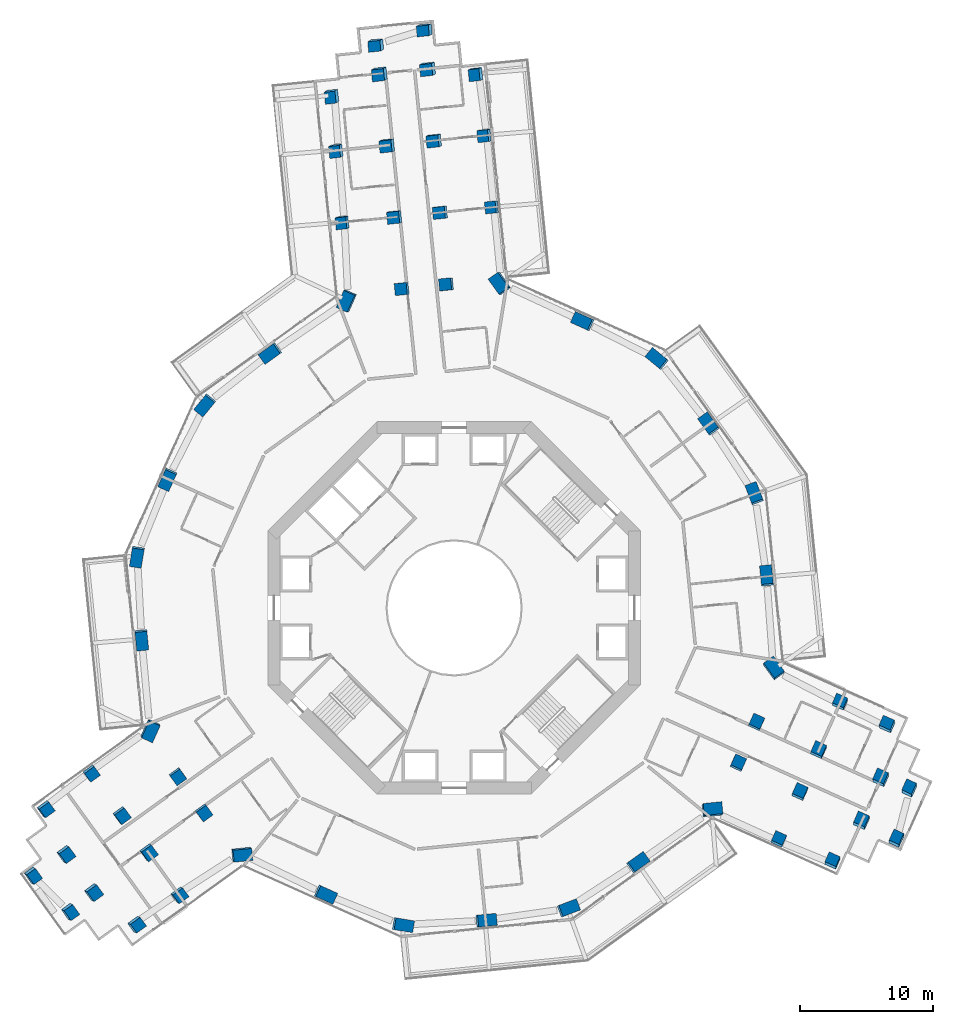
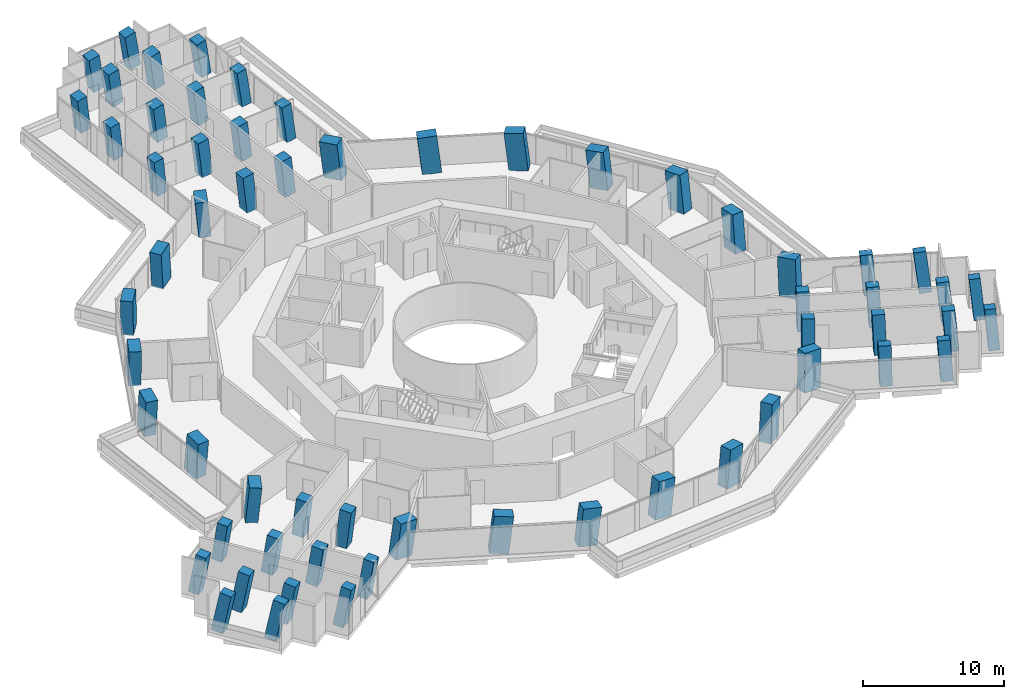
# One storey, part 1 of 26: 61 columns.
"""IFC4 building model written with IfcOpenShell, lengths in metres."""

from ifc_helpers import new_model, si_unit, direction, frame, origin, origin_2d, place, context, subcontext, project, spatial, rectangle, extrude, material, material_profile, profile_set, type_object, element, save


model = new_model("IFC4")

# Units and contexts
model_context = context("Model", 3, precision=1e-05, world=origin(), true_north=direction((0.0, 1.0)))
body_context = subcontext(model_context, "Body", "Model", "MODEL_VIEW")
ifc_project = project(units=[si_unit("LENGTHUNIT", "METRE"), si_unit("AREAUNIT", "SQUARE_METRE"), si_unit("VOLUMEUNIT", "CUBIC_METRE"), si_unit("PLANEANGLEUNIT", "RADIAN"), si_unit("MASSUNIT", "GRAM", prefix="KILO")], contexts=[model_context])

# Site, building, storey
site_placement = place(None, origin())
site = spatial("IfcSite", under=ifc_project, at=site_placement, CompositionType="ELEMENT")
building_placement = place(site_placement, origin())
building = spatial("IfcBuilding", under=site, at=building_placement, Name="Verdalira Terraces Hotel", CompositionType="ELEMENT")
storey_placement = place(building_placement, frame((0.0, 0.0, 56.5)))
storey = spatial("IfcBuildingStorey", under=building, at=storey_placement, Name="L12", CompositionType="ELEMENT", Elevation=56.5)

# Columns
ifc_material_1 = material(Name="Concrete C80", Category="concrete")
ifc_material_profile_1 = material_profile(ifc_material_1, rectangle(XDim=1.399902, YDim=0.899902, at=origin_2d()), Name="RC 1400X900")
ifc_profile_set_1 = profile_set([ifc_material_profile_1], Name="Concrete C80")
column_type_1 = type_object("IfcColumnType", Name="Column RC 1400X900 C80", PredefinedType="COLUMN", material=ifc_profile_set_1)
column_1_placement = place(storey_placement, frame((-8.03833, 23.094727, 0.0), z_axis=(-0.109537555, -0.039147704, 0.993211448), x_axis=(0.403114018, 0.911612109, 0.080389372)))
element("IfcColumn", 1, at=column_1_placement, inside=storey, type_object=column_type_1, Name="Column C07", PredefinedType="COLUMN", context=body_context, shape_type="SweptSolid", body=[
    extrude(rectangle(XDim=1.399902, YDim=0.899902, at=origin_2d()), origin(), (0.0, 0.0, 1.0), 3.21167),
])
column_2_placement = place(storey_placement, frame((-13.796387, 19.157471, 0.0), z_axis=(-0.090651408, -0.066391509, 0.993667193), x_axis=(-0.806614945, -0.580299679, -0.112359302)))
element("IfcColumn", 2, at=column_2_placement, inside=storey, type_object=column_type_1, Name="Column C08", PredefinedType="COLUMN", context=body_context, shape_type="SweptSolid", body=[
    extrude(rectangle(XDim=1.399902, YDim=0.899902, at=origin_2d()), origin(), (0.0, 0.0, 1.0), 3.210205),
])
column_3_placement = place(storey_placement, frame((-18.705078, 15.277344, 0.0), z_axis=(-0.071922434, -0.089560916, 0.993381098), x_axis=(0.62855588, 0.769236277, 0.114861028)))
element("IfcColumn", 3, at=column_3_placement, inside=storey, type_object=column_type_1, Name="Column C09", PredefinedType="COLUMN", context=body_context, shape_type="SweptSolid", body=[
    extrude(rectangle(XDim=1.399902, YDim=0.899902, at=origin_2d()), origin(), (0.0, 0.0, 1.0), 3.211182),
])
column_4_placement = place(storey_placement, frame((-21.526855, 9.692627, 0.0), z_axis=(-0.045250147, -0.102744451, 0.993678017), x_axis=(-0.408210433, -0.905958686, -0.112263538)))
element("IfcColumn", 4, at=column_4_placement, inside=storey, type_object=column_type_1, Name="Column C10", PredefinedType="COLUMN", context=body_context, shape_type="SweptSolid", body=[
    extrude(rectangle(XDim=1.399902, YDim=0.899902, at=origin_2d()), origin(), (0.0, 0.0, 1.0), 3.210205),
])
column_5_placement = place(storey_placement, frame((-23.837891, 3.87793, 0.0), z_axis=(-0.01748646, -0.113509932, 0.993382967), x_axis=(0.159578304, 0.98048224, 0.114844864)))
element("IfcColumn", 5, at=column_5_placement, inside=storey, type_object=column_type_1, Name="Column C11", PredefinedType="COLUMN", context=body_context, shape_type="SweptSolid", body=[
    extrude(rectangle(XDim=1.399902, YDim=0.899902, at=origin_2d()), origin(), (0.0, 0.0, 1.0), 3.211182),
])
column_6_placement = place(storey_placement, frame((-23.489014, -2.369385, 0.0), z_axis=(0.012168058, -0.111641928, 0.993674), x_axis=(0.09927897, -0.988702484, -0.112299088)))
element("IfcColumn", 6, at=column_6_placement, inside=storey, type_object=column_type_1, Name="Column C12", PredefinedType="COLUMN", context=body_context, shape_type="SweptSolid", body=[
    extrude(rectangle(XDim=1.399902, YDim=0.899902, at=origin_2d()), origin(), (0.0, 0.0, 1.0), 3.210205),
])
column_7_placement = place(storey_placement, frame((-22.851807, -9.186279, 0.0), z_axis=(0.044616831, -0.10823572, 0.993123541), x_axis=(0.415131598, 0.906226966, 0.080115181)))
element("IfcColumn", 7, at=column_7_placement, inside=storey, type_object=column_type_1, Name="Column C13", PredefinedType="COLUMN", context=body_context, shape_type="SweptSolid", body=[
    extrude(rectangle(XDim=1.399902, YDim=0.899902, at=origin_2d()), origin(), (0.0, 0.0, 1.0), 3.211914),
])
column_8_placement = place(storey_placement, frame((-15.981445, -18.508789, 0.0), z_axis=(0.088633967, -0.075255255, 0.993217331), x_axis=(-0.991038531, -0.106704076, 0.080354653)))
element("IfcColumn", 8, at=column_8_placement, inside=storey, type_object=column_type_1, Name="Column C20", PredefinedType="COLUMN", context=body_context, shape_type="SweptSolid", body=[
    extrude(rectangle(XDim=1.399902, YDim=0.899902, at=origin_2d()), origin(), (0.0, 0.0, 1.0), 3.21167),
])
column_9_placement = place(storey_placement, frame((-9.692627, -21.526855, 0.0), z_axis=(0.102744451, -0.045250147, 0.993678017), x_axis=(0.905958686, -0.408210433, -0.112263538)))
element("IfcColumn", 9, at=column_9_placement, inside=storey, type_object=column_type_1, Name="Column C21", PredefinedType="COLUMN", context=body_context, shape_type="SweptSolid", body=[
    extrude(rectangle(XDim=1.399902, YDim=0.899902, at=origin_2d()), origin(), (0.0, 0.0, 1.0), 3.210205),
])
column_10_placement = place(storey_placement, frame((-3.87793, -23.837891, 0.0), z_axis=(0.113509932, -0.01748646, 0.993382967), x_axis=(-0.98048224, 0.159578304, 0.114844864)))
element("IfcColumn", 10, at=column_10_placement, inside=storey, type_object=column_type_1, Name="Column C22", PredefinedType="COLUMN", context=body_context, shape_type="SweptSolid", body=[
    extrude(rectangle(XDim=1.399902, YDim=0.899902, at=origin_2d()), origin(), (0.0, 0.0, 1.0), 3.211182),
])
column_11_placement = place(storey_placement, frame((2.369385, -23.489014, 0.0), z_axis=(0.111641928, 0.012168058, 0.993674), x_axis=(0.988702484, 0.09927897, -0.112299088)))
element("IfcColumn", 11, at=column_11_placement, inside=storey, type_object=column_type_1, Name="Column C23", PredefinedType="COLUMN", context=body_context, shape_type="SweptSolid", body=[
    extrude(rectangle(XDim=1.399902, YDim=0.899902, at=origin_2d()), origin(), (0.0, 0.0, 1.0), 3.210205),
])
column_12_placement = place(storey_placement, frame((8.560547, -22.583252, 0.0), z_axis=(0.10704763, 0.041587396, 0.993383759), x_axis=(-0.928982675, -0.351857103, 0.11483801)))
element("IfcColumn", 12, at=column_12_placement, inside=storey, type_object=column_type_1, Name="Column C24", PredefinedType="COLUMN", context=body_context, shape_type="SweptSolid", body=[
    extrude(rectangle(XDim=1.399902, YDim=0.899902, at=origin_2d()), origin(), (0.0, 0.0, 1.0), 3.211182),
])
column_13_placement = place(storey_placement, frame((13.796387, -19.157471, 0.0), z_axis=(0.090651408, 0.066391509, 0.993667193), x_axis=(0.806614945, 0.580299679, -0.112359302)))
element("IfcColumn", 13, at=column_13_placement, inside=storey, type_object=column_type_1, Name="Column C25", PredefinedType="COLUMN", context=body_context, shape_type="SweptSolid", body=[
    extrude(rectangle(XDim=1.399902, YDim=0.899902, at=origin_2d()), origin(), (0.0, 0.0, 1.0), 3.210205),
])
column_14_placement = place(storey_placement, frame((19.381348, -15.197021, 0.0), z_axis=(0.071523428, 0.09272963, 0.993119134), x_axis=(-0.992454044, -0.092803173, 0.080140757)))
element("IfcColumn", 14, at=column_14_placement, inside=storey, type_object=column_type_1, Name="Column C26", PredefinedType="COLUMN", context=body_context, shape_type="SweptSolid", body=[
    extrude(rectangle(XDim=1.399902, YDim=0.899902, at=origin_2d()), origin(), (0.0, 0.0, 1.0), 3.212158),
])
column_15_placement = place(storey_placement, frame((24.02002, -4.585938, 0.0), z_axis=(0.020828195, 0.114403043, 0.993216054), x_axis=(0.588137095, -0.804758769, 0.080362191)))
element("IfcColumn", 15, at=column_15_placement, inside=storey, type_object=column_type_1, Name="Column C33", PredefinedType="COLUMN", context=body_context, shape_type="SweptSolid", body=[
    extrude(rectangle(XDim=1.399902, YDim=0.899902, at=origin_2d()), origin(), (0.0, 0.0, 1.0), 3.21167),
])
column_16_placement = place(storey_placement, frame((23.489014, 2.369385, 0.0), z_axis=(-0.012168058, 0.111641928, 0.993674), x_axis=(-0.09927897, 0.988702484, -0.112299088)))
element("IfcColumn", 16, at=column_16_placement, inside=storey, type_object=column_type_1, Name="Column C34", PredefinedType="COLUMN", context=body_context, shape_type="SweptSolid", body=[
    extrude(rectangle(XDim=1.399902, YDim=0.899902, at=origin_2d()), origin(), (0.0, 0.0, 1.0), 3.210205),
])
column_17_placement = place(storey_placement, frame((22.583252, 8.560547, 0.0), z_axis=(-0.041587396, 0.10704763, 0.993383759), x_axis=(0.351857103, -0.928982675, 0.11483801)))
element("IfcColumn", 17, at=column_17_placement, inside=storey, type_object=column_type_1, Name="Column C35", PredefinedType="COLUMN", context=body_context, shape_type="SweptSolid", body=[
    extrude(rectangle(XDim=1.399902, YDim=0.899902, at=origin_2d()), origin(), (0.0, 0.0, 1.0), 3.211182),
])
column_18_placement = place(storey_placement, frame((19.157471, 13.796387, 0.0), z_axis=(-0.066391509, 0.090651408, 0.993667193), x_axis=(-0.580299679, 0.806614945, -0.112359302)))
element("IfcColumn", 18, at=column_18_placement, inside=storey, type_object=column_type_1, Name="Column C36", PredefinedType="COLUMN", context=body_context, shape_type="SweptSolid", body=[
    extrude(rectangle(XDim=1.399902, YDim=0.899902, at=origin_2d()), origin(), (0.0, 0.0, 1.0), 3.210205),
])
column_19_placement = place(storey_placement, frame((15.277344, 18.705078, 0.0), z_axis=(-0.089560916, 0.071922434, 0.993381098), x_axis=(0.769236277, -0.62855588, 0.114861028)))
element("IfcColumn", 19, at=column_19_placement, inside=storey, type_object=column_type_1, Name="Column C37", PredefinedType="COLUMN", context=body_context, shape_type="SweptSolid", body=[
    extrude(rectangle(XDim=1.399902, YDim=0.899902, at=origin_2d()), origin(), (0.0, 0.0, 1.0), 3.211182),
])
column_20_placement = place(storey_placement, frame((9.692627, 21.526855, 0.0), z_axis=(-0.102744451, 0.045250147, 0.993678017), x_axis=(-0.905958686, 0.408210433, -0.112263538)))
element("IfcColumn", 20, at=column_20_placement, inside=storey, type_object=column_type_1, Name="Column C38", PredefinedType="COLUMN", context=body_context, shape_type="SweptSolid", body=[
    extrude(rectangle(XDim=1.399902, YDim=0.899902, at=origin_2d()), origin(), (0.0, 0.0, 1.0), 3.210205),
])
column_21_placement = place(storey_placement, frame((3.470459, 24.383301, 0.0), z_axis=(-0.116064233, 0.015505634, 0.993120672), x_axis=(0.577080719, -0.812746414, 0.080131833)))
element("IfcColumn", 21, at=column_21_placement, inside=storey, type_object=column_type_1, Name="Column C39", PredefinedType="COLUMN", context=body_context, shape_type="SweptSolid", body=[
    extrude(rectangle(XDim=1.399902, YDim=0.899902, at=origin_2d()), origin(), (0.0, 0.0, 1.0), 3.212158),
])
ifc_material_2 = material(Name="Concrete C80", Category="concrete")
ifc_material_profile_2 = material_profile(ifc_material_2, rectangle(XDim=0.899902, YDim=0.800049, at=origin_2d()), Name="RC 900X800")
ifc_profile_set_2 = profile_set([ifc_material_profile_2], Name="Concrete C80")
column_type_2 = type_object("IfcColumnType", Name="Column RC 900X800 C80", PredefinedType="COLUMN", material=ifc_profile_set_2)
column_22_placement = place(storey_placement, frame((2.891357, 30.124268, 0.0), z_axis=(-0.139578196, -0.016064374, 0.990080736), x_axis=(-0.100870141, 0.994897743, 0.001922204)))
element("IfcColumn", 22, at=column_22_placement, inside=storey, type_object=column_type_2, Name="Column C01", PredefinedType="COLUMN", context=body_context, shape_type="SweptSolid", body=[
    extrude(rectangle(XDim=0.899902, YDim=0.800049, at=origin_2d()), origin(), (0.0, 0.0, 1.0), 3.221924),
])
column_23_placement = place(storey_placement, frame((2.346924, 35.520508, 0.0), z_axis=(-0.161009638, -0.047156056, 0.985825645), x_axis=(-0.105437121, 0.993963489, 0.03032484)))
element("IfcColumn", 23, at=column_23_placement, inside=storey, type_object=column_type_2, Name="Column C02", PredefinedType="COLUMN", context=body_context, shape_type="SweptSolid", body=[
    extrude(rectangle(XDim=0.899902, YDim=0.800049, at=origin_2d()), origin(), (0.0, 0.0, 1.0), 3.23584),
])
column_24_placement = place(storey_placement, frame((1.719727, 40.144287, 0.0), z_axis=(-0.178581783, -0.078218671, 0.980811086), x_axis=(-0.110854967, 0.992087679, 0.058933981)))
element("IfcColumn", 24, at=column_24_placement, inside=storey, type_object=column_type_2, Name="Column C03", PredefinedType="COLUMN", context=body_context, shape_type="SweptSolid", body=[
    extrude(rectangle(XDim=0.899902, YDim=0.800049, at=origin_2d()), origin(), (0.0, 0.0, 1.0), 3.252441),
])
column_25_placement = place(storey_placement, frame((-9.11084, 38.509277, 0.0), z_axis=(-0.169820229, -0.128617698, 0.977045842), x_axis=(0.119987067, -0.986768866, -0.109042693)))
element("IfcColumn", 25, at=column_25_placement, inside=storey, type_object=column_type_2, Name="Column C04", PredefinedType="COLUMN", context=body_context, shape_type="SweptSolid", body=[
    extrude(rectangle(XDim=0.899902, YDim=0.800049, at=origin_2d()), origin(), (0.0, 0.0, 1.0), 3.264893),
])
column_26_placement = place(storey_placement, frame((-8.796387, 34.396484, 0.0), z_axis=(-0.154891944, -0.099449805, 0.98291313), x_axis=(0.113705937, -0.990103236, -0.082258989)))
element("IfcColumn", 26, at=column_26_placement, inside=storey, type_object=column_type_2, Name="Column C05", PredefinedType="COLUMN", context=body_context, shape_type="SweptSolid", body=[
    extrude(rectangle(XDim=0.899902, YDim=0.800049, at=origin_2d()), origin(), (0.0, 0.0, 1.0), 3.245361),
])
column_27_placement = place(storey_placement, frame((-8.341797, 28.991211, 0.0), z_axis=(-0.133472745, -0.069157647, 0.988636559), x_axis=(0.10828411, -0.992607537, -0.054816326)))
element("IfcColumn", 27, at=column_27_placement, inside=storey, type_object=column_type_2, Name="Column C06", PredefinedType="COLUMN", context=body_context, shape_type="SweptSolid", body=[
    extrude(rectangle(XDim=0.899902, YDim=0.800049, at=origin_2d()), origin(), (0.0, 0.0, 1.0), 3.226562),
])
column_28_placement = place(storey_placement, frame((-27.300049, -12.389893, 0.0), z_axis=(0.094350682, -0.103065806, 0.990189572), x_axis=(-0.80984904, -0.586416578, 0.01612854)))
element("IfcColumn", 28, at=column_28_placement, inside=storey, type_object=column_type_2, Name="Column C14", PredefinedType="COLUMN", context=body_context, shape_type="SweptSolid", body=[
    extrude(rectangle(XDim=0.899902, YDim=0.800049, at=origin_2d()), origin(), (0.0, 0.0, 1.0), 3.221436),
])
column_29_placement = place(storey_placement, frame((-30.75708, -15.07666, 0.0), z_axis=(0.141132728, -0.093233592, 0.985590711), x_axis=(-0.80446759, -0.591030402, 0.059287103)))
element("IfcColumn", 29, at=column_29_placement, inside=storey, type_object=column_type_2, Name="Column C15", PredefinedType="COLUMN", context=body_context, shape_type="SweptSolid", body=[
    extrude(rectangle(XDim=0.899902, YDim=0.800049, at=origin_2d()), origin(), (0.0, 0.0, 1.0), 3.236572),
])
column_30_placement = place(storey_placement, frame((-31.728271, -20.07666, 0.0), z_axis=(0.1641563, -0.097216591, 0.981632133), x_axis=(0.564518132, -0.806806521, -0.174305813)))
element("IfcColumn", 30, at=column_30_placement, inside=storey, type_object=column_type_2, Name="Column C16", PredefinedType="COLUMN", context=body_context, shape_type="SweptSolid", body=[
    extrude(rectangle(XDim=0.899902, YDim=0.800049, at=origin_2d()), origin(), (0.0, 0.0, 1.0), 3.249512),
])
column_31_placement = place(storey_placement, frame((-28.948486, -22.806885, 0.0), z_axis=(0.176608493, -0.083988484, 0.980691274), x_axis=(0.562288808, -0.80916075, -0.17055843)))
element("IfcColumn", 31, at=column_31_placement, inside=storey, type_object=column_type_2, Name="Column C17", PredefinedType="COLUMN", context=body_context, shape_type="SweptSolid", body=[
    extrude(rectangle(XDim=0.899902, YDim=0.800049, at=origin_2d()), origin(), (0.0, 0.0, 1.0), 3.252686),
])
column_32_placement = place(storey_placement, frame((-23.948486, -23.778076, 0.0), z_axis=(0.181201775, -0.060475717, 0.981584741), x_axis=(0.79610051, 0.595027387, -0.110301346)))
element("IfcColumn", 32, at=column_32_placement, inside=storey, type_object=column_type_2, Name="Column C18", PredefinedType="COLUMN", context=body_context, shape_type="SweptSolid", body=[
    extrude(rectangle(XDim=0.899902, YDim=0.800049, at=origin_2d()), origin(), (0.0, 0.0, 1.0), 3.249756),
])
column_33_placement = place(storey_placement, frame((-20.696533, -21.559326, 0.0), z_axis=(0.137238078, -0.071378923, 0.987962934), x_axis=(0.804095195, 0.590478606, -0.06903574)))
element("IfcColumn", 33, at=column_33_placement, inside=storey, type_object=column_type_2, Name="Column C19", PredefinedType="COLUMN", context=body_context, shape_type="SweptSolid", body=[
    extrude(rectangle(XDim=0.899902, YDim=0.800049, at=origin_2d()), origin(), (0.0, 0.0, 1.0), 3.22876),
])
column_34_placement = place(storey_placement, frame((24.379883, -17.447754, 0.0), z_axis=(0.042135292, 0.133302119, 0.990179359), x_axis=(0.912680872, -0.408354291, 0.016136892)))
element("IfcColumn", 34, at=column_34_placement, inside=storey, type_object=column_type_2, Name="Column C27", PredefinedType="COLUMN", context=body_context, shape_type="SweptSolid", body=[
    extrude(rectangle(XDim=0.899902, YDim=0.800049, at=origin_2d()), origin(), (0.0, 0.0, 1.0), 3.22168),
])
column_35_placement = place(storey_placement, frame((28.435303, -19.098145, 0.0), z_axis=(0.010183323, 0.16881687, 0.985594828), x_axis=(0.91406092, -0.401221473, 0.059278695)))
element("IfcColumn", 35, at=column_35_placement, inside=storey, type_object=column_type_2, Name="Column C28", PredefinedType="COLUMN", context=body_context, shape_type="SweptSolid", body=[
    extrude(rectangle(XDim=0.899902, YDim=0.800049, at=origin_2d()), origin(), (0.0, 0.0, 1.0), 3.236572),
])
column_36_placement = place(storey_placement, frame((33.250977, -17.439209, 0.0), z_axis=(0.002178741, 0.190752573, 0.981635731), x_axis=(0.416760218, 0.892151501, -0.174288895)))
element("IfcColumn", 36, at=column_36_placement, inside=storey, type_object=column_type_2, Name="Column C29", PredefinedType="COLUMN", context=body_context, shape_type="SweptSolid", body=[
    extrude(rectangle(XDim=0.899902, YDim=0.800049, at=origin_2d()), origin(), (0.0, 0.0, 1.0), 3.249512),
])
column_37_placement = place(storey_placement, frame((34.225586, -13.666748, 0.0), z_axis=(-0.015536583, 0.19499537, 0.9806811), x_axis=(0.419772661, 0.891451377, -0.170602919)))
element("IfcColumn", 37, at=column_37_placement, inside=storey, type_object=column_type_2, Name="Column C30", PredefinedType="COLUMN", context=body_context, shape_type="SweptSolid", body=[
    extrude(rectangle(XDim=0.899902, YDim=0.800049, at=origin_2d()), origin(), (0.0, 0.0, 1.0), 3.252686),
])
column_38_placement = place(storey_placement, frame((32.56665, -8.85083, 0.0), z_axis=(-0.038238856, 0.187137508, 0.981589193), x_axis=(-0.913393221, 0.391853737, -0.110288138)))
element("IfcColumn", 38, at=column_38_placement, inside=storey, type_object=column_type_2, Name="Column C31", PredefinedType="COLUMN", context=body_context, shape_type="SweptSolid", body=[
    extrude(rectangle(XDim=0.899902, YDim=0.800049, at=origin_2d()), origin(), (0.0, 0.0, 1.0), 3.249756),
])
column_39_placement = place(storey_placement, frame((29.019287, -7.144043, 0.0), z_axis=(-0.00688079, 0.154553138, 0.987960517), x_axis=(-0.913616839, 0.40067117, -0.06904263)))
element("IfcColumn", 39, at=column_39_placement, inside=storey, type_object=column_type_2, Name="Column C32", PredefinedType="COLUMN", context=body_context, shape_type="SweptSolid", body=[
    extrude(rectangle(XDim=0.899902, YDim=0.800049, at=origin_2d()), origin(), (0.0, 0.0, 1.0), 3.22876),
])
column_40_placement = place(storey_placement, frame((-2.125, 43.485596, 0.0), z_axis=(-0.193253493, -0.096103632, 0.976430837), x_axis=(-0.976016113, -0.082832227, -0.20132404)))
element("IfcColumn", 40, at=column_40_placement, inside=storey, type_object=column_type_2, Name="Column C40", PredefinedType="COLUMN", context=body_context, shape_type="SweptSolid", body=[
    extrude(rectangle(XDim=0.899902, YDim=0.800049, at=origin_2d()), origin(), (0.0, 0.0, 1.0), 3.266846),
])
column_41_placement = place(storey_placement, frame((-5.769775, 42.354004, 0.0), z_axis=(-0.187660314, -0.112984503, 0.975714153), x_axis=(-0.977130587, -0.079655981, -0.19715664)))
element("IfcColumn", 41, at=column_41_placement, inside=storey, type_object=column_type_2, Name="Column C41", PredefinedType="COLUMN", context=body_context, shape_type="SweptSolid", body=[
    extrude(rectangle(XDim=0.899902, YDim=0.800049, at=origin_2d()), origin(), (0.0, 0.0, 1.0), 3.269287),
])
ifc_material_3 = material(Name="Concrete C80", Category="concrete")
ifc_material_profile_3 = material_profile(ifc_material_3, rectangle(XDim=0.899902, YDim=0.899902, at=origin_2d()), Name="RC 900X900")
ifc_profile_set_3 = profile_set([ifc_material_profile_3], Name="Concrete C80")
column_type_3 = type_object("IfcColumnType", Name="Column RC 900X900 C80", PredefinedType="COLUMN", material=ifc_profile_set_3)
for number, where, z_axis, x_axis, name in (
    (42, (-0.537842, 24.327148, 0.0), (-0.115627488, -0.003496952, 0.993286492), (-0.099182883, 0.995036719, -0.008042666), "Column C42"),
    (43, (-3.877197, 23.990234, 0.0), (-0.113956195, -0.019385477, 0.993296627), (-0.101151406, 0.99484038, 0.007810986), "Column C43"),
):
    element("IfcColumn", number, at=place(storey_placement, frame(where, z_axis=z_axis, x_axis=x_axis)), inside=storey, type_object=column_type_3, Name=name, PredefinedType="COLUMN", context=body_context, shape_type="SweptSolid", body=[
        extrude(rectangle(XDim=0.899902, YDim=0.899902, at=origin_2d()), origin(), (0.0, 0.0, 1.0), 3.211426),
    ])
column_42_placement = place(storey_placement, frame((-0.987061, 29.73291, 0.0), z_axis=(-0.137507975, -0.034320172, 0.989905896), x_axis=(-0.102729911, 0.99450397, 0.020209361)))
element("IfcColumn", 44, at=column_42_placement, inside=storey, type_object=column_type_3, Name="Column C44", PredefinedType="COLUMN", context=body_context, shape_type="SweptSolid", body=[
    extrude(rectangle(XDim=0.899902, YDim=0.899902, at=origin_2d()), origin(), (0.0, 0.0, 1.0), 3.222412),
])
column_43_placement = place(storey_placement, frame((-4.421631, 29.386719, 0.0), z_axis=(-0.135629053, -0.050662109, 0.989463547), x_axis=(-0.105731296, 0.993728755, 0.036387554)))
element("IfcColumn", 45, at=column_43_placement, inside=storey, type_object=column_type_3, Name="Column C45", PredefinedType="COLUMN", context=body_context, shape_type="SweptSolid", body=[
    extrude(rectangle(XDim=0.899902, YDim=0.899902, at=origin_2d()), origin(), (0.0, 0.0, 1.0), 3.223877),
])
column_44_placement = place(storey_placement, frame((-1.436279, 35.138916, 0.0), z_axis=(-0.158938447, -0.064992857, 0.985146943), x_axis=(-0.108561038, 0.992930661, 0.047991701)))
element("IfcColumn", 46, at=column_44_placement, inside=storey, type_object=column_type_3, Name="Column C46", PredefinedType="COLUMN", context=body_context, shape_type="SweptSolid", body=[
    extrude(rectangle(XDim=0.899902, YDim=0.899902, at=origin_2d()), origin(), (0.0, 0.0, 1.0), 3.238037),
])
column_45_placement = place(storey_placement, frame((-4.96582, 34.782715, 0.0), z_axis=(-0.157056497, -0.081503659, 0.984220712), x_axis=(-0.110746711, 0.991756359, 0.064455341)))
element("IfcColumn", 47, at=column_45_placement, inside=storey, type_object=column_type_3, Name="Column C47", PredefinedType="COLUMN", context=body_context, shape_type="SweptSolid", body=[
    extrude(rectangle(XDim=0.899902, YDim=0.899902, at=origin_2d()), origin(), (0.0, 0.0, 1.0), 3.240967),
])
column_46_placement = place(storey_placement, frame((-1.885498, 40.544678, 0.0), z_axis=(-0.179914292, -0.095090061, 0.979075445), x_axis=(-0.114688498, 0.990556423, 0.075130034)))
element("IfcColumn", 48, at=column_46_placement, inside=storey, type_object=column_type_3, Name="Column C48", PredefinedType="COLUMN", context=body_context, shape_type="SweptSolid", body=[
    extrude(rectangle(XDim=0.899902, YDim=0.899902, at=origin_2d()), origin(), (0.0, 0.0, 1.0), 3.258057),
])
column_47_placement = place(storey_placement, frame((-5.510254, 40.178955, 0.0), z_axis=(-0.17786142, -0.111864881, 0.977676615), x_axis=(-0.117427931, 0.988831333, 0.091778406)))
element("IfcColumn", 49, at=column_47_placement, inside=storey, type_object=column_type_3, Name="Column C49", PredefinedType="COLUMN", context=body_context, shape_type="SweptSolid", body=[
    extrude(rectangle(XDim=0.899902, YDim=0.899902, at=origin_2d()), origin(), (0.0, 0.0, 1.0), 3.262695),
])
for number, where, z_axis, x_axis, name in (
    (50, (-20.799072, -12.629395, 0.0), (0.060892498, -0.098370652, 0.993285114), (-0.811874193, -0.583777009, -0.008043489), "Column C50"),
    (51, (-18.837646, -15.353027, 0.0), (0.073816916, -0.088945202, 0.993297445), (-0.810619635, -0.585520968, 0.007810511), "Column C51"),
):
    element("IfcColumn", number, at=place(storey_placement, frame(where, z_axis=z_axis, x_axis=x_axis)), inside=storey, type_object=column_type_3, Name=name, PredefinedType="COLUMN", context=body_context, shape_type="SweptSolid", body=[
        extrude(rectangle(XDim=0.899902, YDim=0.899902, at=origin_2d()), origin(), (0.0, 0.0, 1.0), 3.211426),
    ])
column_48_placement = place(storey_placement, frame((-25.020752, -15.554932, 0.0), z_axis=(0.109230396, -0.092111069, 0.989739497), x_axis=(-0.80795172, -0.588242393, 0.034422442)))
element("IfcColumn", 52, at=column_48_placement, inside=storey, type_object=column_type_3, Name="Column C52", PredefinedType="COLUMN", context=body_context, shape_type="SweptSolid", body=[
    extrude(rectangle(XDim=0.899902, YDim=0.899902, at=origin_2d()), origin(), (0.0, 0.0, 1.0), 3.2229),
])
column_49_placement = place(storey_placement, frame((-23.004883, -18.354004, 0.0), z_axis=(0.122326025, -0.082509509, 0.989054359), x_axis=(-0.806451462, -0.589131736, 0.050594824)))
element("IfcColumn", 53, at=column_49_placement, inside=storey, type_object=column_type_3, Name="Column C53", PredefinedType="COLUMN", context=body_context, shape_type="SweptSolid", body=[
    extrude(rectangle(XDim=0.899902, YDim=0.899902, at=origin_2d()), origin(), (0.0, 0.0, 1.0), 3.225342),
])
column_50_placement = place(storey_placement, frame((-29.242432, -18.480469, 0.0), z_axis=(0.156853225, -0.085768518, 0.983890658), x_axis=(-0.801693115, -0.592868561, 0.076125017)))
element("IfcColumn", 54, at=column_50_placement, inside=storey, type_object=column_type_3, Name="Column C54", PredefinedType="COLUMN", context=body_context, shape_type="SweptSolid", body=[
    extrude(rectangle(XDim=0.899902, YDim=0.899902, at=origin_2d()), origin(), (0.0, 0.0, 1.0), 3.242188),
])
column_51_placement = place(storey_placement, frame((-27.172119, -21.355225, 0.0), z_axis=(0.170092947, -0.075797388, 0.982508598), x_axis=(-0.798956031, -0.59423739, 0.09247262)))
element("IfcColumn", 55, at=column_51_placement, inside=storey, type_object=column_type_3, Name="Column C55", PredefinedType="COLUMN", context=body_context, shape_type="SweptSolid", body=[
    extrude(rectangle(XDim=0.899902, YDim=0.899902, at=origin_2d()), origin(), (0.0, 0.0, 1.0), 3.246826),
])
for number, where, z_axis, x_axis, name in (
    (56, (21.336914, -11.697754, 0.0), (0.054735152, 0.101868199, 0.993290961), (0.911447801, -0.411337167, -0.008039998), "Column C56"),
    (57, (22.714844, -8.637207, 0.0), (0.040215543, 0.108331094, 0.993301104), (0.911984519, -0.410150297, 0.007808385), "Column C57"),
):
    element("IfcColumn", number, at=place(storey_placement, frame(where, z_axis=z_axis, x_axis=x_axis)), inside=storey, type_object=column_type_3, Name=name, PredefinedType="COLUMN", context=body_context, shape_type="SweptSolid", body=[
        extrude(rectangle(XDim=0.899902, YDim=0.899902, at=origin_2d()), origin(), (0.0, 0.0, 1.0), 3.211426),
    ])
column_52_placement = place(storey_placement, frame((25.981201, -13.891113, 0.0), z_axis=(0.0252244, 0.140665796, 0.989735754), x_axis=(0.913222788, -0.406003454, 0.034428687)))
element("IfcColumn", 58, at=column_52_placement, inside=storey, type_object=column_type_3, Name="Column C58", PredefinedType="COLUMN", context=body_context, shape_type="SweptSolid", body=[
    extrude(rectangle(XDim=0.899902, YDim=0.899902, at=origin_2d()), origin(), (0.0, 0.0, 1.0), 3.223145),
])
column_53_placement = place(storey_placement, frame((27.397461, -10.745605, 0.0), z_axis=(0.010294821, 0.147155386, 0.989059811), x_axis=(0.913414786, -0.403874809, 0.050582291)))
element("IfcColumn", 59, at=column_53_placement, inside=storey, type_object=column_type_3, Name="Column C59", PredefinedType="COLUMN", context=body_context, shape_type="SweptSolid", body=[
    extrude(rectangle(XDim=0.899902, YDim=0.899902, at=origin_2d()), origin(), (0.0, 0.0, 1.0), 3.225342),
])
column_54_placement = place(storey_placement, frame((30.625732, -16.084473, 0.0), z_axis=(-0.004141556, 0.178764626, 0.983883152), x_axis=(0.914267247, -0.397891575, 0.076142606)))
element("IfcColumn", 60, at=column_54_placement, inside=storey, type_object=column_type_3, Name="Column C60", PredefinedType="COLUMN", context=body_context, shape_type="SweptSolid", body=[
    extrude(rectangle(XDim=0.899902, YDim=0.899902, at=origin_2d()), origin(), (0.0, 0.0, 1.0), 3.242188),
])
column_55_placement = place(storey_placement, frame((32.080078, -12.854004, 0.0), z_axis=(-0.019325611, 0.185134841, 0.982523084), x_axis=(0.91395317, -0.395152422, 0.092434657)))
element("IfcColumn", 61, at=column_55_placement, inside=storey, type_object=column_type_3, Name="Column C61", PredefinedType="COLUMN", context=body_context, shape_type="SweptSolid", body=[
    extrude(rectangle(XDim=0.899902, YDim=0.899902, at=origin_2d()), origin(), (0.0, 0.0, 1.0), 3.246582),
])

save(model, "model.ifc")
